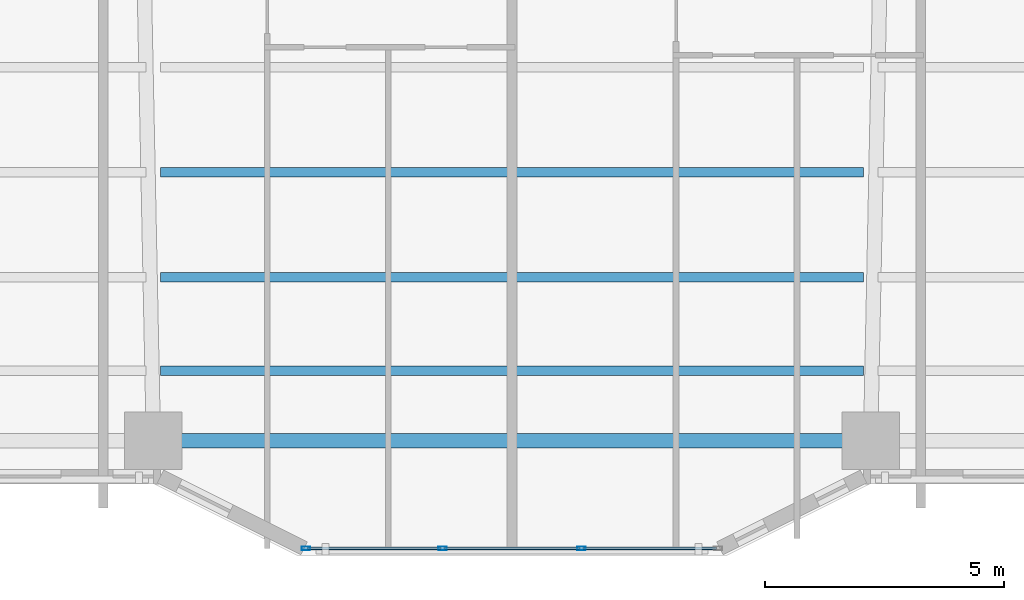
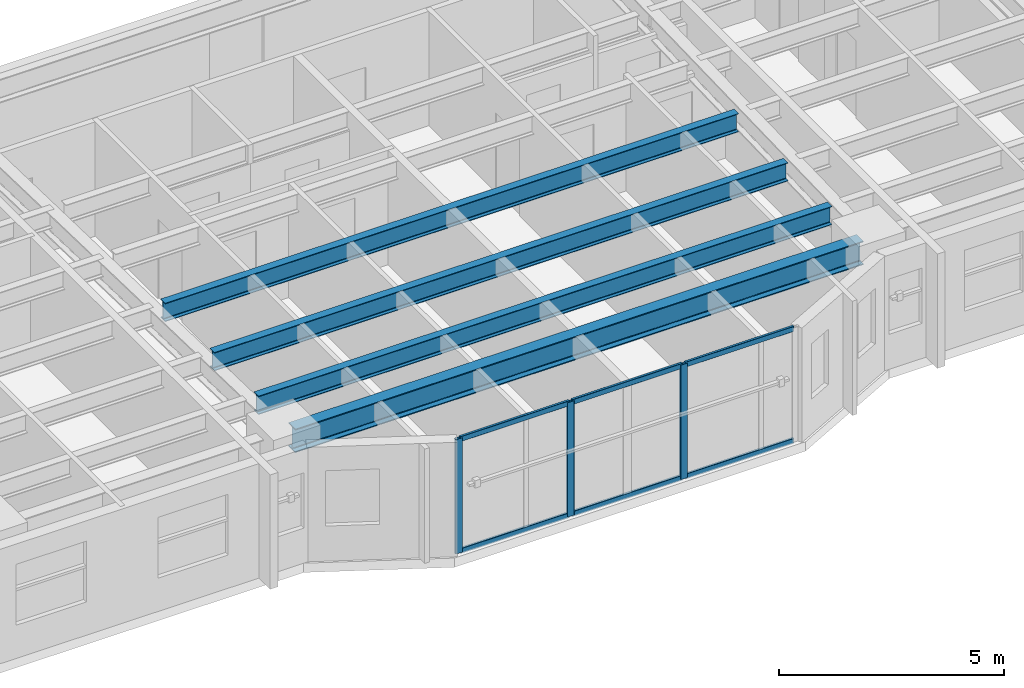
# One storey, part 2 of 22: 9 members, 4 beams, 1 element without a shape of its own.
"""IFC4 building model written with IfcOpenShell, lengths in metres."""

from ifc_helpers import new_model, si_unit, direction, frame, origin, origin_2d, place, context, subcontext, project, spatial, hollow_rectangle, i_section, extrude, material, layer, layer_set, material_profile, profile_set, type_object, element, aggregate, save


model = new_model("IFC4")

# Units and contexts
model_context = context("Model", 3, precision=1e-05, world=origin(), true_north=direction((0.0, 1.0)))
body_context = subcontext(model_context, "Body", "Model", "MODEL_VIEW")
ifc_project = project(units=[si_unit("LENGTHUNIT", "METRE"), si_unit("AREAUNIT", "SQUARE_METRE"), si_unit("VOLUMEUNIT", "CUBIC_METRE"), si_unit("PLANEANGLEUNIT", "RADIAN"), si_unit("MASSUNIT", "GRAM", prefix="KILO")], contexts=[model_context])

# Site, building, storey
site_placement = place(None, origin())
site = spatial("IfcSite", under=ifc_project, at=site_placement, CompositionType="ELEMENT")
building_placement = place(site_placement, origin())
building = spatial("IfcBuilding", under=site, at=building_placement, Name="Tarnavaz Court Tower", CompositionType="ELEMENT")
storey_placement = place(building_placement, frame((0.0, 0.0, 27.35009765625)))
storey = spatial("IfcBuildingStorey", under=building, at=storey_placement, Name="L06", CompositionType="ELEMENT", Elevation=27.35009765625)

# Beams
ifc_material_1 = material(Name="Steel S355", Category="steel")
ifc_material_profile_1 = material_profile(ifc_material_1, i_section(OverallWidth=0.199951171875, OverallDepth=0.5, WebThickness=0.01025390625, FlangeThickness=0.01611328125, FilletRadius=0.02099609375, at=origin_2d()), Name="IPE 500")
ifc_profile_set_1 = profile_set([ifc_material_profile_1], Name="Steel S355")
beam_type_1 = type_object("IfcBeamType", Name="BM-J-IPE500", PredefinedType="JOIST", material=ifc_profile_set_1)
for number, where, z_axis, x_axis, name in (
    (1, (-7.35009765625, -17.18798828125, 2.849853515625), (1.0, 0.0, 0.0), (0.0, 1.0, 0.0), "L06 Beam JS3-2"),
    (2, (-7.35009765625, -19.384033203125, 2.849853515625), (1.0, 0.0, 0.0), (0.0, 1.0, 0.0), "L06 Beam JS4-2"),
    (3, (-7.35009765625, -21.3359375, 2.849853515625), (1.0, 0.0, 0.0), (0.0, 1.0, 0.0), "L06 Beam JS5-2"),
):
    element("IfcBeam", number, at=place(storey_placement, frame(where, z_axis=z_axis, x_axis=x_axis)), inside=storey, type_object=beam_type_1, Name=name, PredefinedType="JOIST", context=body_context, shape_type="SweptSolid", body=[
        extrude(i_section(OverallWidth=0.199951171875, OverallDepth=0.5, WebThickness=0.01025390625, FlangeThickness=0.01611328125, FilletRadius=0.02099609375, at=origin_2d()), origin(), (0.0, 0.0, 1.0), 14.7001953125),
    ])
ifc_material_profile_2 = material_profile(ifc_material_1, i_section(OverallWidth=0.300048828125, OverallDepth=0.639892578125, WebThickness=0.013427734375, FlangeThickness=0.02587890625, FilletRadius=0.027099609375, at=origin_2d()), Name="HEA 650")
ifc_profile_set_2 = profile_set([ifc_material_profile_2], Name="Steel S355")
beam_type_2 = type_object("IfcBeamType", Name="BM-SP-HEA650", PredefinedType="SPANDREL", material=ifc_profile_set_2)
beam_placement = place(storey_placement, frame((-7.280029296875, -22.800048828125, 2.77978515625), z_axis=(1.0, 0.0, 0.0), x_axis=(0.0, 1.0, 0.0)))
element("IfcBeam", 4, at=beam_placement, inside=storey, type_object=beam_type_2, Name="L06 Beam PR-PS-2-PS-3", PredefinedType="SPANDREL", context=body_context, shape_type="SweptSolid", body=[
    extrude(i_section(OverallWidth=0.300048828125, OverallDepth=0.639892578125, WebThickness=0.013427734375, FlangeThickness=0.02587890625, FilletRadius=0.027099609375, at=origin_2d()), origin(), (0.0, 0.0, 1.0), 14.56005859375),
])

# Curtain wall, members
ifc_material_2 = material(Name="Anodised Aluminium 6063-T6 and Solar Low-E Glazing", Category="aluminium")
ifc_layer = layer(ifc_material_2, 0.179931640625)
ifc_layer_set = layer_set([ifc_layer], Name="Anodised Aluminium 6063-T6 and Solar Low-E Glazing")
curtain_wall_type = type_object("IfcCurtainWallType", Name="CW-SYS-02", PredefinedType="NOTDEFINED", material=ifc_layer_set)
curtain_wall_placement = place(storey_placement, origin())
curtain_wall = element("IfcCurtainWall", 5, at=curtain_wall_placement, inside=storey, type_object=curtain_wall_type, Name="L06 Iwan Prow Curtain Wall 17", PredefinedType="NOTDEFINED")
ifc_material_3 = material(Name="Anodised Aluminium 6063-T6", Category="aluminium")
ifc_material_profile_3 = material_profile(ifc_material_3, hollow_rectangle(XDim=0.074951171875, YDim=0.179931640625, WallThickness=0.0048828125, InnerFilletRadius=0.0048828125, OuterFilletRadius=0.010009765625, at=origin_2d()), Name="ALU RHS 180X75X5")
ifc_profile_set_3 = profile_set([ifc_material_profile_3], Name="Anodised Aluminium 6063-T6")
member_type_1 = type_object("IfcMemberType", Name="CW-MUL-180", PredefinedType="MULLION", material=ifc_profile_set_3)
member_1_placement = place(storey_placement, frame((1.449951171875, -25.050048828125, 0.0), z_axis=(0.0, 0.0, 1.0), x_axis=(0.0, -1.0, 0.0)))
member_1 = element("IfcMember", 6, at=member_1_placement, type_object=member_type_1, Name="CW mullion 2", PredefinedType="MULLION", context=body_context, shape_type="SweptSolid", body=[
    extrude(hollow_rectangle(XDim=0.074951171875, YDim=0.179931640625, WallThickness=0.0048828125, InnerFilletRadius=0.0048828125, OuterFilletRadius=0.010009765625, at=origin_2d()), origin(), (0.0, 0.0, 1.0), 3.099853515625),
])
member_2_placement = place(storey_placement, frame((-1.449951171875, -25.050048828125, 0.0), z_axis=(0.0, 0.0, 1.0), x_axis=(0.0, -1.0, 0.0)))
member_2 = element("IfcMember", 7, at=member_2_placement, type_object=member_type_1, Name="CW mullion 3", PredefinedType="MULLION", context=body_context, shape_type="SweptSolid", body=[
    extrude(hollow_rectangle(XDim=0.074951171875, YDim=0.179931640625, WallThickness=0.0048828125, InnerFilletRadius=0.0048828125, OuterFilletRadius=0.010009765625, at=origin_2d()), origin(), (0.0, 0.0, 1.0), 3.099853515625),
])
member_3_placement = place(storey_placement, frame((-4.3125, -25.050048828125, 0.0), z_axis=(0.0, 0.0, 1.0), x_axis=(0.0, -1.0, 0.0)))
member_3 = element("IfcMember", 8, at=member_3_placement, type_object=member_type_1, Name="CW mullion 4", PredefinedType="MULLION", context=body_context, shape_type="SweptSolid", body=[
    extrude(hollow_rectangle(XDim=0.074951171875, YDim=0.179931640625, WallThickness=0.0048828125, InnerFilletRadius=0.0048828125, OuterFilletRadius=0.010009765625, at=origin_2d()), origin(), (0.0, 0.0, 1.0), 3.099853515625),
])
ifc_material_profile_4 = material_profile(ifc_material_3, hollow_rectangle(XDim=0.06494140625, YDim=0.139892578125, WallThickness=0.00390625, InnerFilletRadius=0.00390625, OuterFilletRadius=0.008056640625, at=origin_2d()), Name="ALU RHS 140X65X4")
ifc_profile_set_4 = profile_set([ifc_material_profile_4], Name="Anodised Aluminium 6063-T6")
member_type_2 = type_object("IfcMemberType", Name="CW-TRN-140", PredefinedType="USERDEFINED", material=ifc_profile_set_4)
member_4_placement = place(storey_placement, frame((4.27490234375, -25.050048828125, 0.032470703125), z_axis=(-1.0, 0.0, 0.0), x_axis=(0.0, -1.0, 0.0)))
member_4 = element("IfcMember", 9, at=member_4_placement, type_object=member_type_2, Name="CW transom 1.1", ObjectType="TRANSOM", PredefinedType="USERDEFINED", context=body_context, shape_type="SweptSolid", body=[
    extrude(hollow_rectangle(XDim=0.06494140625, YDim=0.139892578125, WallThickness=0.00390625, InnerFilletRadius=0.00390625, OuterFilletRadius=0.008056640625, at=origin_2d()), origin(), (0.0, 0.0, 1.0), 2.787353515625),
])
member_5_placement = place(storey_placement, frame((4.27490234375, -25.050048828125, 3.0673828125), z_axis=(-1.0, 0.0, 0.0), x_axis=(0.0, -1.0, 0.0)))
member_5 = element("IfcMember", 10, at=member_5_placement, type_object=member_type_2, Name="CW transom 1.2", ObjectType="TRANSOM", PredefinedType="USERDEFINED", context=body_context, shape_type="SweptSolid", body=[
    extrude(hollow_rectangle(XDim=0.06494140625, YDim=0.139892578125, WallThickness=0.00390625, InnerFilletRadius=0.00390625, OuterFilletRadius=0.008056640625, at=origin_2d()), origin(), (0.0, 0.0, 1.0), 2.787353515625),
])
member_6_placement = place(storey_placement, frame((1.41259765625, -25.050048828125, 0.032470703125), z_axis=(-1.0, 0.0, 0.0), x_axis=(0.0, -1.0, 0.0)))
member_6 = element("IfcMember", 11, at=member_6_placement, type_object=member_type_2, Name="CW transom 2.1", ObjectType="TRANSOM", PredefinedType="USERDEFINED", context=body_context, shape_type="SweptSolid", body=[
    extrude(hollow_rectangle(XDim=0.06494140625, YDim=0.139892578125, WallThickness=0.00390625, InnerFilletRadius=0.00390625, OuterFilletRadius=0.008056640625, at=origin_2d()), origin(), (0.0, 0.0, 1.0), 2.8251953125),
])
member_7_placement = place(storey_placement, frame((1.41259765625, -25.050048828125, 3.0673828125), z_axis=(-1.0, 0.0, 0.0), x_axis=(0.0, -1.0, 0.0)))
member_7 = element("IfcMember", 12, at=member_7_placement, type_object=member_type_2, Name="CW transom 2.2", ObjectType="TRANSOM", PredefinedType="USERDEFINED", context=body_context, shape_type="SweptSolid", body=[
    extrude(hollow_rectangle(XDim=0.06494140625, YDim=0.139892578125, WallThickness=0.00390625, InnerFilletRadius=0.00390625, OuterFilletRadius=0.008056640625, at=origin_2d()), origin(), (0.0, 0.0, 1.0), 2.8251953125),
])
member_8_placement = place(storey_placement, frame((-1.487548828125, -25.050048828125, 0.032470703125), z_axis=(-1.0, 0.0, 0.0), x_axis=(0.0, -1.0, 0.0)))
member_8 = element("IfcMember", 13, at=member_8_placement, type_object=member_type_2, Name="CW transom 3.1", ObjectType="TRANSOM", PredefinedType="USERDEFINED", context=body_context, shape_type="SweptSolid", body=[
    extrude(hollow_rectangle(XDim=0.06494140625, YDim=0.139892578125, WallThickness=0.00390625, InnerFilletRadius=0.00390625, OuterFilletRadius=0.008056640625, at=origin_2d()), origin(), (0.0, 0.0, 1.0), 2.787353515625),
])
member_9_placement = place(storey_placement, frame((-1.487548828125, -25.050048828125, 3.0673828125), z_axis=(-1.0, 0.0, 0.0), x_axis=(0.0, -1.0, 0.0)))
member_9 = element("IfcMember", 14, at=member_9_placement, type_object=member_type_2, Name="CW transom 3.2", ObjectType="TRANSOM", PredefinedType="USERDEFINED", context=body_context, shape_type="SweptSolid", body=[
    extrude(hollow_rectangle(XDim=0.06494140625, YDim=0.139892578125, WallThickness=0.00390625, InnerFilletRadius=0.00390625, OuterFilletRadius=0.008056640625, at=origin_2d()), origin(), (0.0, 0.0, 1.0), 2.787353515625),
])
aggregate(curtain_wall, [member_1, member_2, member_3, member_4, member_5, member_6, member_7, member_8, member_9])

save(model, "model.ifc")
